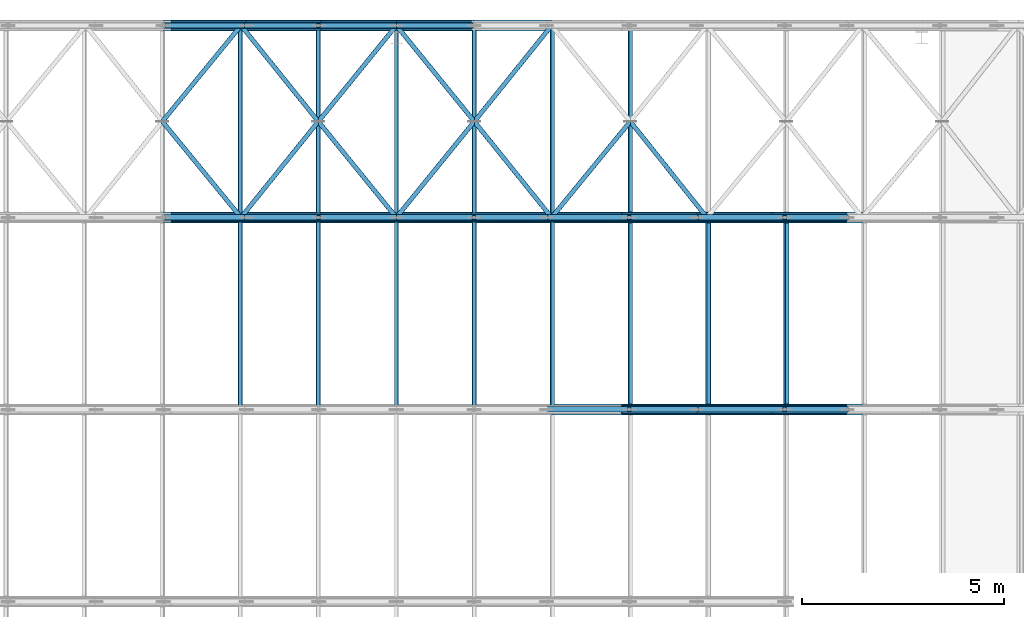
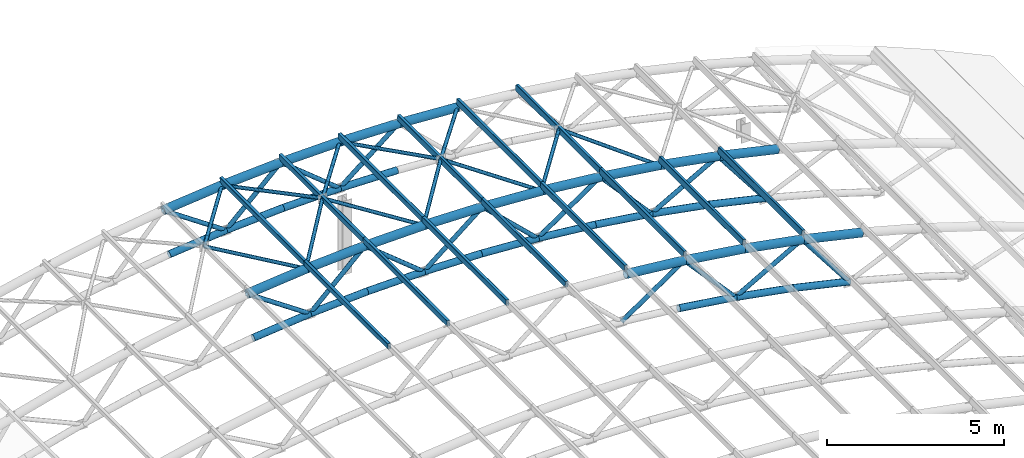
# One storey, part 6 of 22: 77 members.
"""IFC4 building model written with IfcOpenShell, lengths in metres."""

from ifc_helpers import new_model, si_unit, direction, frame, origin, origin_2d, place, context, subcontext, project, spatial, hollow_rectangle, hollow_circle, extrude, material, material_profile, profile_set, type_object, element, save


model = new_model("IFC4")

# Units and contexts
model_context = context("Model", 3, precision=1e-05, world=origin(), true_north=direction((0.0, 1.0)))
body_context = subcontext(model_context, "Body", "Model", "MODEL_VIEW")
ifc_project = project(units=[si_unit("LENGTHUNIT", "METRE"), si_unit("AREAUNIT", "SQUARE_METRE"), si_unit("VOLUMEUNIT", "CUBIC_METRE"), si_unit("PLANEANGLEUNIT", "RADIAN"), si_unit("MASSUNIT", "GRAM", prefix="KILO")], contexts=[model_context])

# Site, building, storey
site_placement = place(None, origin())
site = spatial("IfcSite", under=ifc_project, at=site_placement, CompositionType="ELEMENT")
building_placement = place(site_placement, origin())
building = spatial("IfcBuilding", under=site, at=building_placement, Name="Elbe Cascade School", CompositionType="ELEMENT")
storey_placement = place(building_placement, frame((0.0, 0.0, 18.89990234375)))
storey = spatial("IfcBuildingStorey", under=building, at=storey_placement, Name="R05", CompositionType="ELEMENT", Elevation=18.89990234375)

# Members
ifc_material_1 = material(Name="Steel S355J2H", Category="steel")
ifc_material_profile_1 = material_profile(ifc_material_1, hollow_circle(Radius=0.109619140625, WallThickness=0.012451171875, at=origin_2d()), Name="CHS 219.1x12.5")
ifc_profile_set_1 = profile_set([ifc_material_profile_1], Name="Steel S355J2H")
member_type_1 = type_object("IfcMemberType", Name="Hall rib bottom chord CHS 219.1x12.5", PredefinedType="CHORD", material=ifc_profile_set_1)
member_1_placement = place(storey_placement, frame((39.571533203125, 60.0, 2.355224609375), z_axis=(0.990068894629, 0.0, -0.140583014225), x_axis=(0.0, 1.0, 0.0)))
element("IfcMember", 1, at=member_1_placement, inside=storey, type_object=member_type_1, Name="Hall rib bottom chord CHS 219.1x12.5 M3", PredefinedType="CHORD", context=body_context, shape_type="SweptSolid", body=[
    extrude(hollow_circle(Radius=0.109619140625, WallThickness=0.012451171875, at=origin_2d()), origin(), (0.0, 0.0, 1.0), 1.87548828125),
])
member_2_placement = place(storey_placement, frame((41.428466796875, 60.0, 2.091552734375), z_axis=(0.9835518543, 0.0, -0.180625994539), x_axis=(0.0, 1.0, 0.0)))
element("IfcMember", 2, at=member_2_placement, inside=storey, type_object=member_type_1, Name="Hall rib bottom chord CHS 219.1x12.5 M3", PredefinedType="CHORD", context=body_context, shape_type="SweptSolid", body=[
    extrude(hollow_circle(Radius=0.109619140625, WallThickness=0.012451171875, at=origin_2d()), origin(), (0.0, 0.0, 1.0), 1.88818359375),
])
member_3_placement = place(storey_placement, frame((43.28564453125, 60.0, 1.75048828125), z_axis=(0.975295060536, 0.0, -0.220906190259), x_axis=(0.0, 1.0, 0.0)))
element("IfcMember", 3, at=member_3_placement, inside=storey, type_object=member_type_1, Name="Hall rib bottom chord CHS 219.1x12.5 M3", PredefinedType="CHORD", context=body_context, shape_type="SweptSolid", body=[
    extrude(hollow_circle(Radius=0.109619140625, WallThickness=0.012451171875, at=origin_2d()), origin(), (0.0, 0.0, 1.0), 1.904296875),
])
member_4_placement = place(storey_placement, frame((28.428466796875, 64.75, 2.355224609375), z_axis=(0.994942207611, 0.0, 0.100449009523), x_axis=(0.0, 1.0, 0.0)))
element("IfcMember", 4, at=member_4_placement, inside=storey, type_object=member_type_1, Name="Hall rib bottom chord CHS 219.1x12.5 M3", PredefinedType="CHORD", context=body_context, shape_type="SweptSolid", body=[
    extrude(hollow_circle(Radius=0.109619140625, WallThickness=0.012451171875, at=origin_2d()), origin(), (0.0, 0.0, 1.0), 1.86669921875),
])
member_5_placement = place(storey_placement, frame((30.28564453125, 64.75, 2.542724609375), z_axis=(0.998184548597, 0.0, 0.060229618484), x_axis=(0.0, 1.0, 0.0)))
element("IfcMember", 5, at=member_5_placement, inside=storey, type_object=member_type_1, Name="Hall rib bottom chord CHS 219.1x12.5 M3", PredefinedType="CHORD", context=body_context, shape_type="SweptSolid", body=[
    extrude(hollow_circle(Radius=0.109619140625, WallThickness=0.012451171875, at=origin_2d()), origin(), (0.0, 0.0, 1.0), 1.860595703125),
])
for number, where, z_axis, x_axis, name in (
    (6, (32.142822265625, 64.75, 2.65478515625), (0.999797793882, 0.0, 0.020108986784), (0.0, 1.0, 0.0), "Hall rib bottom chord CHS 219.1x12.5 M3"),
    (7, (34.0, 64.75, 2.692138671875), (0.999797793882, 0.0, -0.020108986784), (0.0, 1.0, 0.0), "Hall rib bottom chord CHS 219.1x12.5 M3"),
):
    element("IfcMember", number, at=place(storey_placement, frame(where, z_axis=z_axis, x_axis=x_axis)), inside=storey, type_object=member_type_1, Name=name, PredefinedType="CHORD", context=body_context, shape_type="SweptSolid", body=[
        extrude(hollow_circle(Radius=0.109619140625, WallThickness=0.012451171875, at=origin_2d()), origin(), (0.0, 0.0, 1.0), 1.857666015625),
    ])
member_6_placement = place(storey_placement, frame((35.857177734375, 64.75, 2.65478515625), z_axis=(0.998184548597, 0.0, -0.060229618484), x_axis=(0.0, 1.0, 0.0)))
element("IfcMember", 8, at=member_6_placement, inside=storey, type_object=member_type_1, Name="Hall rib bottom chord CHS 219.1x12.5 M3", PredefinedType="CHORD", context=body_context, shape_type="SweptSolid", body=[
    extrude(hollow_circle(Radius=0.109619140625, WallThickness=0.012451171875, at=origin_2d()), origin(), (0.0, 0.0, 1.0), 1.860595703125),
])
member_7_placement = place(storey_placement, frame((37.71435546875, 64.75, 2.542724609375), z_axis=(0.994942207611, 0.0, -0.100449009523), x_axis=(0.0, 1.0, 0.0)))
element("IfcMember", 9, at=member_7_placement, inside=storey, type_object=member_type_1, Name="Hall rib bottom chord CHS 219.1x12.5 M3", PredefinedType="CHORD", context=body_context, shape_type="SweptSolid", body=[
    extrude(hollow_circle(Radius=0.109619140625, WallThickness=0.012451171875, at=origin_2d()), origin(), (0.0, 0.0, 1.0), 1.86669921875),
])
member_8_placement = place(storey_placement, frame((39.571533203125, 64.75, 2.355224609375), z_axis=(0.990068894629, 0.0, -0.140583014225), x_axis=(0.0, 1.0, 0.0)))
element("IfcMember", 10, at=member_8_placement, inside=storey, type_object=member_type_1, Name="Hall rib bottom chord CHS 219.1x12.5 M3", PredefinedType="CHORD", context=body_context, shape_type="SweptSolid", body=[
    extrude(hollow_circle(Radius=0.109619140625, WallThickness=0.012451171875, at=origin_2d()), origin(), (0.0, 0.0, 1.0), 1.87548828125),
])
member_9_placement = place(storey_placement, frame((41.428466796875, 64.75, 2.091552734375), z_axis=(0.9835518543, 0.0, -0.180625994539), x_axis=(0.0, 1.0, 0.0)))
element("IfcMember", 11, at=member_9_placement, inside=storey, type_object=member_type_1, Name="Hall rib bottom chord CHS 219.1x12.5 M3", PredefinedType="CHORD", context=body_context, shape_type="SweptSolid", body=[
    extrude(hollow_circle(Radius=0.109619140625, WallThickness=0.012451171875, at=origin_2d()), origin(), (0.0, 0.0, 1.0), 1.88818359375),
])
member_10_placement = place(storey_placement, frame((43.28564453125, 64.75, 1.75048828125), z_axis=(0.975295060536, 0.0, -0.220906190259), x_axis=(0.0, 1.0, 0.0)))
element("IfcMember", 12, at=member_10_placement, inside=storey, type_object=member_type_1, Name="Hall rib bottom chord CHS 219.1x12.5 M3", PredefinedType="CHORD", context=body_context, shape_type="SweptSolid", body=[
    extrude(hollow_circle(Radius=0.109619140625, WallThickness=0.012451171875, at=origin_2d()), origin(), (0.0, 0.0, 1.0), 1.904296875),
])
member_11_placement = place(storey_placement, frame((28.428466796875, 69.5, 2.355224609375), z_axis=(0.994942207611, 0.0, 0.100449009523), x_axis=(0.0, 1.0, 0.0)))
element("IfcMember", 13, at=member_11_placement, inside=storey, type_object=member_type_1, Name="Hall rib bottom chord CHS 219.1x12.5 M3", PredefinedType="CHORD", context=body_context, shape_type="SweptSolid", body=[
    extrude(hollow_circle(Radius=0.109619140625, WallThickness=0.012451171875, at=origin_2d()), origin(), (0.0, 0.0, 1.0), 1.86669921875),
])
member_12_placement = place(storey_placement, frame((30.28564453125, 69.5, 2.542724609375), z_axis=(0.998184548597, 0.0, 0.060229618484), x_axis=(0.0, 1.0, 0.0)))
element("IfcMember", 14, at=member_12_placement, inside=storey, type_object=member_type_1, Name="Hall rib bottom chord CHS 219.1x12.5 M3", PredefinedType="CHORD", context=body_context, shape_type="SweptSolid", body=[
    extrude(hollow_circle(Radius=0.109619140625, WallThickness=0.012451171875, at=origin_2d()), origin(), (0.0, 0.0, 1.0), 1.860595703125),
])
for number, where, z_axis, x_axis, name in (
    (15, (32.142822265625, 69.5, 2.65478515625), (0.999797793882, 0.0, 0.020108986784), (0.0, 1.0, 0.0), "Hall rib bottom chord CHS 219.1x12.5 M3"),
    (16, (34.0, 69.5, 2.692138671875), (0.999797793882, 0.0, -0.020108986784), (0.0, 1.0, 0.0), "Hall rib bottom chord CHS 219.1x12.5 M3"),
):
    element("IfcMember", number, at=place(storey_placement, frame(where, z_axis=z_axis, x_axis=x_axis)), inside=storey, type_object=member_type_1, Name=name, PredefinedType="CHORD", context=body_context, shape_type="SweptSolid", body=[
        extrude(hollow_circle(Radius=0.109619140625, WallThickness=0.012451171875, at=origin_2d()), origin(), (0.0, 0.0, 1.0), 1.857666015625),
    ])
ifc_material_2 = material(Name="Steel S355J2H", Category="steel")
ifc_material_profile_2 = material_profile(ifc_material_2, hollow_circle(Radius=0.136474609375, WallThickness=0.012451171875, at=origin_2d()), Name="CHS 273x12.5")
ifc_profile_set_2 = profile_set([ifc_material_profile_2], Name="Steel S355J2H")
member_type_2 = type_object("IfcMemberType", Name="Hall rib top chord CHS 273x12.5", PredefinedType="CHORD", material=ifc_profile_set_2)
member_13_placement = place(storey_placement, frame((37.8427734375, 60.0, 4.1376953125), z_axis=(0.994936550575, 0.0, -0.100505026392), x_axis=(0.0, 1.0, 0.0)))
element("IfcMember", 17, at=member_13_placement, inside=storey, type_object=member_type_2, Name="Hall rib top chord CHS 273x12.5 M2", PredefinedType="CHORD", context=body_context, shape_type="SweptSolid", body=[
    extrude(hollow_circle(Radius=0.136474609375, WallThickness=0.012451171875, at=origin_2d()), origin(), (0.0, 0.0, 1.0), 1.93115234375),
])
member_14_placement = place(storey_placement, frame((39.76416015625, 60.0, 3.943603515625), z_axis=(0.990077406218, 0.0, -0.140523057528), x_axis=(0.0, 1.0, 0.0)))
element("IfcMember", 18, at=member_14_placement, inside=storey, type_object=member_type_2, Name="Hall rib top chord CHS 273x12.5 M2", PredefinedType="CHORD", context=body_context, shape_type="SweptSolid", body=[
    extrude(hollow_circle(Radius=0.136474609375, WallThickness=0.012451171875, at=origin_2d()), origin(), (0.0, 0.0, 1.0), 1.940673828125),
])
member_15_placement = place(storey_placement, frame((41.685546875, 60.0, 3.6708984375), z_axis=(0.983536288489, 0.0, -0.180710733565), x_axis=(0.0, 1.0, 0.0)))
element("IfcMember", 19, at=member_15_placement, inside=storey, type_object=member_type_2, Name="Hall rib top chord CHS 273x12.5 M2", PredefinedType="CHORD", context=body_context, shape_type="SweptSolid", body=[
    extrude(hollow_circle(Radius=0.136474609375, WallThickness=0.012451171875, at=origin_2d()), origin(), (0.0, 0.0, 1.0), 1.95361328125),
])
member_16_placement = place(storey_placement, frame((43.60693359375, 60.0, 3.31787109375), z_axis=(0.975283578549, 0.0, -0.220956876817), x_axis=(0.0, 1.0, 0.0)))
element("IfcMember", 20, at=member_16_placement, inside=storey, type_object=member_type_2, Name="Hall rib top chord CHS 273x12.5 M2", PredefinedType="CHORD", context=body_context, shape_type="SweptSolid", body=[
    extrude(hollow_circle(Radius=0.136474609375, WallThickness=0.012451171875, at=origin_2d()), origin(), (0.0, 0.0, 1.0), 1.969970703125),
])
member_17_placement = place(storey_placement, frame((28.23583984375, 64.75, 3.943603515625), z_axis=(0.994936550575, 0.0, 0.100505026392), x_axis=(0.0, 1.0, 0.0)))
element("IfcMember", 21, at=member_17_placement, inside=storey, type_object=member_type_2, Name="Hall rib top chord CHS 273x12.5 M2", PredefinedType="CHORD", context=body_context, shape_type="SweptSolid", body=[
    extrude(hollow_circle(Radius=0.136474609375, WallThickness=0.012451171875, at=origin_2d()), origin(), (0.0, 0.0, 1.0), 1.93115234375),
])
member_18_placement = place(storey_placement, frame((30.1572265625, 64.75, 4.1376953125), z_axis=(0.998183551067, 0.0, 0.060246148254), x_axis=(0.0, 1.0, 0.0)))
element("IfcMember", 22, at=member_18_placement, inside=storey, type_object=member_type_2, Name="Hall rib top chord CHS 273x12.5 M2", PredefinedType="CHORD", context=body_context, shape_type="SweptSolid", body=[
    extrude(hollow_circle(Radius=0.136474609375, WallThickness=0.012451171875, at=origin_2d()), origin(), (0.0, 0.0, 1.0), 1.9248046875),
])
for number, where, z_axis, x_axis, name in (
    (23, (32.07861328125, 64.75, 4.253662109375), (0.999798533216, 0.0, 0.020072194187), (0.0, 1.0, 0.0), "Hall rib top chord CHS 273x12.5 M2"),
    (24, (34.0, 64.75, 4.292236328125), (0.999798533216, 0.0, -0.020072194187), (0.0, 1.0, 0.0), "Hall rib top chord CHS 273x12.5 M2"),
):
    element("IfcMember", number, at=place(storey_placement, frame(where, z_axis=z_axis, x_axis=x_axis)), inside=storey, type_object=member_type_2, Name=name, PredefinedType="CHORD", context=body_context, shape_type="SweptSolid", body=[
        extrude(hollow_circle(Radius=0.136474609375, WallThickness=0.012451171875, at=origin_2d()), origin(), (0.0, 0.0, 1.0), 1.921875),
    ])
member_19_placement = place(storey_placement, frame((35.92138671875, 64.75, 4.253662109375), z_axis=(0.998183551067, 0.0, -0.060246148254), x_axis=(0.0, 1.0, 0.0)))
element("IfcMember", 25, at=member_19_placement, inside=storey, type_object=member_type_2, Name="Hall rib top chord CHS 273x12.5 M2", PredefinedType="CHORD", context=body_context, shape_type="SweptSolid", body=[
    extrude(hollow_circle(Radius=0.136474609375, WallThickness=0.012451171875, at=origin_2d()), origin(), (0.0, 0.0, 1.0), 1.9248046875),
])
member_20_placement = place(storey_placement, frame((37.8427734375, 64.75, 4.1376953125), z_axis=(0.994936550575, 0.0, -0.100505026392), x_axis=(0.0, 1.0, 0.0)))
element("IfcMember", 26, at=member_20_placement, inside=storey, type_object=member_type_2, Name="Hall rib top chord CHS 273x12.5 M2", PredefinedType="CHORD", context=body_context, shape_type="SweptSolid", body=[
    extrude(hollow_circle(Radius=0.136474609375, WallThickness=0.012451171875, at=origin_2d()), origin(), (0.0, 0.0, 1.0), 1.93115234375),
])
member_21_placement = place(storey_placement, frame((39.76416015625, 64.75, 3.943603515625), z_axis=(0.990077406218, 0.0, -0.140523057528), x_axis=(0.0, 1.0, 0.0)))
element("IfcMember", 27, at=member_21_placement, inside=storey, type_object=member_type_2, Name="Hall rib top chord CHS 273x12.5 M2", PredefinedType="CHORD", context=body_context, shape_type="SweptSolid", body=[
    extrude(hollow_circle(Radius=0.136474609375, WallThickness=0.012451171875, at=origin_2d()), origin(), (0.0, 0.0, 1.0), 1.940673828125),
])
member_22_placement = place(storey_placement, frame((41.685546875, 64.75, 3.6708984375), z_axis=(0.983536288489, 0.0, -0.180710733565), x_axis=(0.0, 1.0, 0.0)))
element("IfcMember", 28, at=member_22_placement, inside=storey, type_object=member_type_2, Name="Hall rib top chord CHS 273x12.5 M2", PredefinedType="CHORD", context=body_context, shape_type="SweptSolid", body=[
    extrude(hollow_circle(Radius=0.136474609375, WallThickness=0.012451171875, at=origin_2d()), origin(), (0.0, 0.0, 1.0), 1.95361328125),
])
member_23_placement = place(storey_placement, frame((43.60693359375, 64.75, 3.31787109375), z_axis=(0.975283578549, 0.0, -0.220956876817), x_axis=(0.0, 1.0, 0.0)))
element("IfcMember", 29, at=member_23_placement, inside=storey, type_object=member_type_2, Name="Hall rib top chord CHS 273x12.5 M2", PredefinedType="CHORD", context=body_context, shape_type="SweptSolid", body=[
    extrude(hollow_circle(Radius=0.136474609375, WallThickness=0.012451171875, at=origin_2d()), origin(), (0.0, 0.0, 1.0), 1.969970703125),
])
member_24_placement = place(storey_placement, frame((28.23583984375, 69.5, 3.943603515625), z_axis=(0.994936550575, 0.0, 0.100505026392), x_axis=(0.0, 1.0, 0.0)))
element("IfcMember", 30, at=member_24_placement, inside=storey, type_object=member_type_2, Name="Hall rib top chord CHS 273x12.5 M2", PredefinedType="CHORD", context=body_context, shape_type="SweptSolid", body=[
    extrude(hollow_circle(Radius=0.136474609375, WallThickness=0.012451171875, at=origin_2d()), origin(), (0.0, 0.0, 1.0), 1.93115234375),
])
member_25_placement = place(storey_placement, frame((30.1572265625, 69.5, 4.1376953125), z_axis=(0.998183551067, 0.0, 0.060246148254), x_axis=(0.0, 1.0, 0.0)))
element("IfcMember", 31, at=member_25_placement, inside=storey, type_object=member_type_2, Name="Hall rib top chord CHS 273x12.5 M2", PredefinedType="CHORD", context=body_context, shape_type="SweptSolid", body=[
    extrude(hollow_circle(Radius=0.136474609375, WallThickness=0.012451171875, at=origin_2d()), origin(), (0.0, 0.0, 1.0), 1.9248046875),
])
for number, where, z_axis, x_axis, name in (
    (32, (32.07861328125, 69.5, 4.253662109375), (0.999798533216, 0.0, 0.020072194187), (0.0, 1.0, 0.0), "Hall rib top chord CHS 273x12.5 M2"),
    (33, (34.0, 69.5, 4.292236328125), (0.999798533216, 0.0, -0.020072194187), (0.0, 1.0, 0.0), "Hall rib top chord CHS 273x12.5 M2"),
):
    element("IfcMember", number, at=place(storey_placement, frame(where, z_axis=z_axis, x_axis=x_axis)), inside=storey, type_object=member_type_2, Name=name, PredefinedType="CHORD", context=body_context, shape_type="SweptSolid", body=[
        extrude(hollow_circle(Radius=0.136474609375, WallThickness=0.012451171875, at=origin_2d()), origin(), (0.0, 0.0, 1.0), 1.921875),
    ])
member_26_placement = place(storey_placement, frame((35.92138671875, 69.5, 4.253662109375), z_axis=(0.998183551067, 0.0, -0.060246148254), x_axis=(0.0, 1.0, 0.0)))
element("IfcMember", 34, at=member_26_placement, inside=storey, type_object=member_type_2, Name="Hall rib top chord CHS 273x12.5 M2", PredefinedType="CHORD", context=body_context, shape_type="SweptSolid", body=[
    extrude(hollow_circle(Radius=0.136474609375, WallThickness=0.012451171875, at=origin_2d()), origin(), (0.0, 0.0, 1.0), 1.9248046875),
])
ifc_material_3 = material(Name="Steel S355J2H", Category="steel")
ifc_material_profile_3 = material_profile(ifc_material_3, hollow_circle(Radius=0.06982421875, WallThickness=0.008056640625, at=origin_2d()), Name="CHS 139.7x8")
ifc_profile_set_3 = profile_set([ifc_material_profile_3], Name="Steel S355J2H")
member_type_3 = type_object("IfcMemberType", Name="Hall rib web CHS 139.7x8", PredefinedType="BRACE", material=ifc_profile_set_3)
member_27_placement = place(storey_placement, frame((37.71435546875, 60.0, 2.542724609375), z_axis=(0.825611048999, 0.0, 0.564239661643), x_axis=(0.0, 1.0, 0.0)))
element("IfcMember", 35, at=member_27_placement, inside=storey, type_object=member_type_3, Name="Hall rib web CHS 139.7x8 M4", PredefinedType="BRACE", context=body_context, shape_type="SweptSolid", body=[
    extrude(hollow_circle(Radius=0.06982421875, WallThickness=0.008056640625, at=origin_2d()), origin(), (0.0, 0.0, 1.0), 2.482666015625),
])
member_28_placement = place(storey_placement, frame((39.76416015625, 60.0, 3.943603515625), z_axis=(0.668401163046, 0.0, -0.743800971523), x_axis=(0.0, 1.0, 0.0)))
element("IfcMember", 36, at=member_28_placement, inside=storey, type_object=member_type_3, Name="Hall rib web CHS 139.7x8 M4", PredefinedType="BRACE", context=body_context, shape_type="SweptSolid", body=[
    extrude(hollow_circle(Radius=0.06982421875, WallThickness=0.008056640625, at=origin_2d()), origin(), (0.0, 0.0, 1.0), 2.489990234375),
])
member_29_placement = place(storey_placement, frame((41.428466796875, 60.0, 2.091552734375), z_axis=(0.871416395959, 0.0, 0.49054404986), x_axis=(0.0, 1.0, 0.0)))
element("IfcMember", 37, at=member_29_placement, inside=storey, type_object=member_type_3, Name="Hall rib web CHS 139.7x8 M4", PredefinedType="BRACE", context=body_context, shape_type="SweptSolid", body=[
    extrude(hollow_circle(Radius=0.06982421875, WallThickness=0.008056640625, at=origin_2d()), origin(), (0.0, 0.0, 1.0), 2.5),
])
member_30_placement = place(storey_placement, frame((43.60693359375, 60.0, 3.31787109375), z_axis=(0.611367288824, 0.0, -0.791346977094), x_axis=(0.0, 1.0, 0.0)))
element("IfcMember", 38, at=member_30_placement, inside=storey, type_object=member_type_3, Name="Hall rib web CHS 139.7x8 M4", PredefinedType="BRACE", context=body_context, shape_type="SweptSolid", body=[
    extrude(hollow_circle(Radius=0.06982421875, WallThickness=0.008056640625, at=origin_2d()), origin(), (0.0, 0.0, 1.0), 2.51220703125),
])
member_31_placement = place(storey_placement, frame((28.23583984375, 64.75, 3.943603515625), z_axis=(0.825611048999, 0.0, -0.564239661643), x_axis=(0.0, 1.0, 0.0)))
element("IfcMember", 39, at=member_31_placement, inside=storey, type_object=member_type_3, Name="Hall rib web CHS 139.7x8 M4", PredefinedType="BRACE", context=body_context, shape_type="SweptSolid", body=[
    extrude(hollow_circle(Radius=0.06982421875, WallThickness=0.008056640625, at=origin_2d()), origin(), (0.0, 0.0, 1.0), 2.482666015625),
])
member_32_placement = place(storey_placement, frame((30.28564453125, 64.75, 2.542724609375), z_axis=(0.723462885485, 0.0, 0.690363276345), x_axis=(0.0, 1.0, 0.0)))
element("IfcMember", 40, at=member_32_placement, inside=storey, type_object=member_type_3, Name="Hall rib web CHS 139.7x8 M4", PredefinedType="BRACE", context=body_context, shape_type="SweptSolid", body=[
    extrude(hollow_circle(Radius=0.06982421875, WallThickness=0.008056640625, at=origin_2d()), origin(), (0.0, 0.0, 1.0), 2.478271484375),
])
for number, where, z_axis, x_axis, name in (
    (41, (32.07861328125, 64.75, 4.253662109375), (0.776035572701, 0.0, -0.630689138881), (0.0, 1.0, 0.0), "Hall rib web CHS 139.7x8 M4"),
    (42, (34.0, 64.75, 2.692138671875), (0.776035572701, 0.0, 0.630689138881), (0.0, 1.0, 0.0), "Hall rib web CHS 139.7x8 M4"),
):
    element("IfcMember", number, at=place(storey_placement, frame(where, z_axis=z_axis, x_axis=x_axis)), inside=storey, type_object=member_type_3, Name=name, PredefinedType="BRACE", context=body_context, shape_type="SweptSolid", body=[
        extrude(hollow_circle(Radius=0.06982421875, WallThickness=0.008056640625, at=origin_2d()), origin(), (0.0, 0.0, 1.0), 2.475830078125),
    ])
member_33_placement = place(storey_placement, frame((35.92138671875, 64.75, 4.253662109375), z_axis=(0.723462885485, 0.0, -0.690363276345), x_axis=(0.0, 1.0, 0.0)))
element("IfcMember", 43, at=member_33_placement, inside=storey, type_object=member_type_3, Name="Hall rib web CHS 139.7x8 M4", PredefinedType="BRACE", context=body_context, shape_type="SweptSolid", body=[
    extrude(hollow_circle(Radius=0.06982421875, WallThickness=0.008056640625, at=origin_2d()), origin(), (0.0, 0.0, 1.0), 2.478271484375),
])
member_34_placement = place(storey_placement, frame((37.71435546875, 64.75, 2.542724609375), z_axis=(0.825611048999, 0.0, 0.564239661643), x_axis=(0.0, 1.0, 0.0)))
element("IfcMember", 44, at=member_34_placement, inside=storey, type_object=member_type_3, Name="Hall rib web CHS 139.7x8 M4", PredefinedType="BRACE", context=body_context, shape_type="SweptSolid", body=[
    extrude(hollow_circle(Radius=0.06982421875, WallThickness=0.008056640625, at=origin_2d()), origin(), (0.0, 0.0, 1.0), 2.482666015625),
])
member_35_placement = place(storey_placement, frame((39.76416015625, 64.75, 3.943603515625), z_axis=(0.668401163046, 0.0, -0.743800971523), x_axis=(0.0, 1.0, 0.0)))
element("IfcMember", 45, at=member_35_placement, inside=storey, type_object=member_type_3, Name="Hall rib web CHS 139.7x8 M4", PredefinedType="BRACE", context=body_context, shape_type="SweptSolid", body=[
    extrude(hollow_circle(Radius=0.06982421875, WallThickness=0.008056640625, at=origin_2d()), origin(), (0.0, 0.0, 1.0), 2.489990234375),
])
member_36_placement = place(storey_placement, frame((41.428466796875, 64.75, 2.091552734375), z_axis=(0.871416395959, 0.0, 0.49054404986), x_axis=(0.0, 1.0, 0.0)))
element("IfcMember", 46, at=member_36_placement, inside=storey, type_object=member_type_3, Name="Hall rib web CHS 139.7x8 M4", PredefinedType="BRACE", context=body_context, shape_type="SweptSolid", body=[
    extrude(hollow_circle(Radius=0.06982421875, WallThickness=0.008056640625, at=origin_2d()), origin(), (0.0, 0.0, 1.0), 2.5),
])
member_37_placement = place(storey_placement, frame((43.60693359375, 64.75, 3.31787109375), z_axis=(0.611367288824, 0.0, -0.791346977094), x_axis=(0.0, 1.0, 0.0)))
element("IfcMember", 47, at=member_37_placement, inside=storey, type_object=member_type_3, Name="Hall rib web CHS 139.7x8 M4", PredefinedType="BRACE", context=body_context, shape_type="SweptSolid", body=[
    extrude(hollow_circle(Radius=0.06982421875, WallThickness=0.008056640625, at=origin_2d()), origin(), (0.0, 0.0, 1.0), 2.51220703125),
])
member_38_placement = place(storey_placement, frame((28.23583984375, 69.5, 3.943603515625), z_axis=(0.825611048999, 0.0, -0.564239661643), x_axis=(0.0, 1.0, 0.0)))
element("IfcMember", 48, at=member_38_placement, inside=storey, type_object=member_type_3, Name="Hall rib web CHS 139.7x8 M4", PredefinedType="BRACE", context=body_context, shape_type="SweptSolid", body=[
    extrude(hollow_circle(Radius=0.06982421875, WallThickness=0.008056640625, at=origin_2d()), origin(), (0.0, 0.0, 1.0), 2.482666015625),
])
member_39_placement = place(storey_placement, frame((30.28564453125, 69.5, 2.542724609375), z_axis=(0.723462885485, 0.0, 0.690363276345), x_axis=(0.0, 1.0, 0.0)))
element("IfcMember", 49, at=member_39_placement, inside=storey, type_object=member_type_3, Name="Hall rib web CHS 139.7x8 M4", PredefinedType="BRACE", context=body_context, shape_type="SweptSolid", body=[
    extrude(hollow_circle(Radius=0.06982421875, WallThickness=0.008056640625, at=origin_2d()), origin(), (0.0, 0.0, 1.0), 2.478271484375),
])
for number, where, z_axis, x_axis, name in (
    (50, (32.07861328125, 69.5, 4.253662109375), (0.776035572701, 0.0, -0.630689138881), (0.0, 1.0, 0.0), "Hall rib web CHS 139.7x8 M4"),
    (51, (34.0, 69.5, 2.692138671875), (0.776035572701, 0.0, 0.630689138881), (0.0, 1.0, 0.0), "Hall rib web CHS 139.7x8 M4"),
):
    element("IfcMember", number, at=place(storey_placement, frame(where, z_axis=z_axis, x_axis=x_axis)), inside=storey, type_object=member_type_3, Name=name, PredefinedType="BRACE", context=body_context, shape_type="SweptSolid", body=[
        extrude(hollow_circle(Radius=0.06982421875, WallThickness=0.008056640625, at=origin_2d()), origin(), (0.0, 0.0, 1.0), 2.475830078125),
    ])
ifc_material_4 = material(Name="Steel S355J2H", Category="steel")
ifc_material_profile_4 = material_profile(ifc_material_4, hollow_circle(Radius=0.05712890625, WallThickness=0.00634765625, at=origin_2d()), Name="CHS 114.3x6.3")
ifc_profile_set_4 = profile_set([ifc_material_profile_4], Name="Steel S355J2H")
member_type_4 = type_object("IfcMemberType", Name="Hall roof bracing CHS 114.3x6.3", PredefinedType="BRACE", material=ifc_profile_set_4)
for number, where, z_axis, x_axis, name in (
    (52, (28.2109375, 67.125, 4.148681640625), (0.633839694881, 0.773456165554, -0.003577870832), (-0.77346111617, 0.633843751861, 0.0), "Hall roof bracing CHS 114.3x6.3 M9"),
    (53, (28.2109375, 67.125, 4.148681640625), (0.633839694881, -0.773456165554, -0.003577870832), (0.77346111617, 0.633843751861, 0.0), "Hall roof bracing CHS 114.3x6.3 M9"),
):
    element("IfcMember", number, at=place(storey_placement, frame(where, z_axis=z_axis, x_axis=x_axis)), inside=storey, type_object=member_type_4, Name=name, PredefinedType="BRACE", context=body_context, shape_type="SweptSolid", body=[
        extrude(hollow_circle(Radius=0.05712890625, WallThickness=0.00634765625, at=origin_2d()), origin(), (0.0, 0.0, 1.0), 3.070556640625),
    ])
member_40_placement = place(storey_placement, frame((32.0703125, 67.125, 4.4599609375), z_axis=(-0.62383457677, -0.774459260186, -0.10508698843), x_axis=(0.778771290788, -0.627307959972, 0.0)))
element("IfcMember", 54, at=member_40_placement, inside=storey, type_object=member_type_4, Name="Hall roof bracing CHS 114.3x6.3 M9", PredefinedType="BRACE", context=body_context, shape_type="SweptSolid", body=[
    extrude(hollow_circle(Radius=0.05712890625, WallThickness=0.00634765625, at=origin_2d()), origin(), (0.0, 0.0, 1.0), 3.066650390625),
])
member_41_placement = place(storey_placement, frame((32.0703125, 67.125, 4.4599609375), z_axis=(0.629647565671, 0.774950850056, -0.05472771731), x_axis=(-0.776114000116, 0.630592625094, 0.0)))
element("IfcMember", 55, at=member_41_placement, inside=storey, type_object=member_type_4, Name="Hall roof bracing CHS 114.3x6.3 M9", PredefinedType="BRACE", context=body_context, shape_type="SweptSolid", body=[
    extrude(hollow_circle(Radius=0.05712890625, WallThickness=0.00634765625, at=origin_2d()), origin(), (0.0, 0.0, 1.0), 3.064697265625),
])
member_42_placement = place(storey_placement, frame((32.0703125, 67.125, 4.4599609375), z_axis=(-0.62383457677, 0.774459260186, -0.10508698843), x_axis=(-0.778771290788, -0.627307959972, 0.0)))
element("IfcMember", 56, at=member_42_placement, inside=storey, type_object=member_type_4, Name="Hall roof bracing CHS 114.3x6.3 M9", PredefinedType="BRACE", context=body_context, shape_type="SweptSolid", body=[
    extrude(hollow_circle(Radius=0.05712890625, WallThickness=0.00634765625, at=origin_2d()), origin(), (0.0, 0.0, 1.0), 3.066650390625),
])
for number, where, z_axis, x_axis, name in (
    (57, (32.0703125, 67.125, 4.4599609375), (0.629647565671, -0.774950850056, -0.05472771731), (0.776114000116, 0.630592625094, 0.0), "Hall roof bracing CHS 114.3x6.3 M9"),
    (58, (35.9296875, 67.125, 4.4599609375), (-0.629647565671, -0.774950850056, -0.05472771731), (0.776114000116, -0.630592625094, 0.0), "Hall roof bracing CHS 114.3x6.3 M9"),
):
    element("IfcMember", number, at=place(storey_placement, frame(where, z_axis=z_axis, x_axis=x_axis)), inside=storey, type_object=member_type_4, Name=name, PredefinedType="BRACE", context=body_context, shape_type="SweptSolid", body=[
        extrude(hollow_circle(Radius=0.05712890625, WallThickness=0.00634765625, at=origin_2d()), origin(), (0.0, 0.0, 1.0), 3.064697265625),
    ])
member_43_placement = place(storey_placement, frame((35.9296875, 67.125, 4.4599609375), z_axis=(0.62383457677, 0.774459260186, -0.10508698843), x_axis=(-0.778771290788, 0.627307959972, 0.0)))
element("IfcMember", 59, at=member_43_placement, inside=storey, type_object=member_type_4, Name="Hall roof bracing CHS 114.3x6.3 M9", PredefinedType="BRACE", context=body_context, shape_type="SweptSolid", body=[
    extrude(hollow_circle(Radius=0.05712890625, WallThickness=0.00634765625, at=origin_2d()), origin(), (0.0, 0.0, 1.0), 3.066650390625),
])
member_44_placement = place(storey_placement, frame((35.9296875, 67.125, 4.4599609375), z_axis=(-0.629647565671, 0.774950850056, -0.05472771731), x_axis=(-0.776114000116, -0.630592625094, 0.0)))
element("IfcMember", 60, at=member_44_placement, inside=storey, type_object=member_type_4, Name="Hall roof bracing CHS 114.3x6.3 M9", PredefinedType="BRACE", context=body_context, shape_type="SweptSolid", body=[
    extrude(hollow_circle(Radius=0.05712890625, WallThickness=0.00634765625, at=origin_2d()), origin(), (0.0, 0.0, 1.0), 3.064697265625),
])
member_45_placement = place(storey_placement, frame((35.9296875, 67.125, 4.4599609375), z_axis=(0.62383457677, -0.774459260186, -0.10508698843), x_axis=(0.778771290788, 0.627307959972, 0.0)))
element("IfcMember", 61, at=member_45_placement, inside=storey, type_object=member_type_4, Name="Hall roof bracing CHS 114.3x6.3 M9", PredefinedType="BRACE", context=body_context, shape_type="SweptSolid", body=[
    extrude(hollow_circle(Radius=0.05712890625, WallThickness=0.00634765625, at=origin_2d()), origin(), (0.0, 0.0, 1.0), 3.066650390625),
])
member_46_placement = place(storey_placement, frame((39.7890625, 67.125, 4.148681640625), z_axis=(-0.633839694881, -0.773456165554, -0.003577870832), x_axis=(0.77346111617, -0.633843751861, 0.0)))
element("IfcMember", 62, at=member_46_placement, inside=storey, type_object=member_type_4, Name="Hall roof bracing CHS 114.3x6.3 M9", PredefinedType="BRACE", context=body_context, shape_type="SweptSolid", body=[
    extrude(hollow_circle(Radius=0.05712890625, WallThickness=0.00634765625, at=origin_2d()), origin(), (0.0, 0.0, 1.0), 3.070556640625),
])
member_47_placement = place(storey_placement, frame((39.7890625, 67.125, 4.148681640625), z_axis=(0.616419306396, -0.77195249905, -0.155295131645), x_axis=(0.781432747539, 0.623989471925, 0.0)))
element("IfcMember", 63, at=member_47_placement, inside=storey, type_object=member_type_4, Name="Hall roof bracing CHS 114.3x6.3 M9", PredefinedType="BRACE", context=body_context, shape_type="SweptSolid", body=[
    extrude(hollow_circle(Radius=0.05712890625, WallThickness=0.00634765625, at=origin_2d()), origin(), (0.0, 0.0, 1.0), 3.07666015625),
])
ifc_material_5 = material(Name="Steel S355J2H", Category="steel")
ifc_material_profile_5 = material_profile(ifc_material_5, hollow_rectangle(XDim=0.10009765625, YDim=0.199951171875, WallThickness=0.008056640625, InnerFilletRadius=0.008056640625, OuterFilletRadius=0.011962890625, at=origin_2d()), Name="RHS 200x100x8")
ifc_profile_set_5 = profile_set([ifc_material_profile_5], Name="Steel S355J2H")
member_type_5 = type_object("IfcMemberType", Name="Hall roof purlin RHS 200x100x8", PredefinedType="PURLIN", material=ifc_profile_set_5)
for number, where, z_axis, x_axis, name in (
    (64, (30.140625, 60.0, 4.343505859375), (0.0, 1.0, 0.0), (-0.996770025505, 0.0, -0.080308880303), "Hall roof purlin RHS 200x100x8 M8"),
    (65, (30.140625, 64.75, 4.343505859375), (0.0, 1.0, 0.0), (-0.996770025505, 0.0, -0.080308880303), "Hall roof purlin RHS 200x100x8 M8"),
    (66, (32.0703125, 60.0, 4.4599609375), (0.0, 1.0, 0.0), (-0.999193485235, 0.0, -0.040154440155), "Hall roof purlin RHS 200x100x8 M8"),
    (67, (32.0703125, 64.75, 4.4599609375), (0.0, 1.0, 0.0), (-0.999193485235, 0.0, -0.040154440155), "Hall roof purlin RHS 200x100x8 M8"),
    (68, (34.0, 60.0, 4.49853515625), (0.0, 1.0, 0.0), (-1.0, 0.0, 0.0), "Hall roof purlin RHS 200x100x8 M8"),
    (69, (34.0, 64.75, 4.49853515625), (0.0, 1.0, 0.0), (-1.0, 0.0, 0.0), "Hall roof purlin RHS 200x100x8 M8"),
    (70, (35.9296875, 60.0, 4.4599609375), (0.0, 1.0, 0.0), (-0.999193485235, 0.0, 0.040154440155), "Hall roof purlin RHS 200x100x8 M8"),
    (71, (35.9296875, 64.75, 4.4599609375), (0.0, 1.0, 0.0), (-0.999193485235, 0.0, 0.040154440155), "Hall roof purlin RHS 200x100x8 M8"),
    (72, (37.859375, 60.0, 4.343505859375), (0.0, 1.0, 0.0), (-0.996770025505, 0.0, 0.080308880303), "Hall roof purlin RHS 200x100x8 M8"),
    (73, (37.859375, 64.75, 4.343505859375), (0.0, 1.0, 0.0), (-0.996770025505, 0.0, 0.080308880303), "Hall roof purlin RHS 200x100x8 M8"),
    (74, (39.7890625, 60.0, 4.148681640625), (0.0, 1.0, 0.0), (-0.99271777884, 0.0, 0.120463320456), "Hall roof purlin RHS 200x100x8 M8"),
    (75, (39.7890625, 64.75, 4.148681640625), (0.0, 1.0, 0.0), (-0.99271777884, 0.0, 0.120463320456), "Hall roof purlin RHS 200x100x8 M8"),
    (76, (41.71875, 60.0, 3.874755859375), (0.0, 1.0, 0.0), (-0.987016684243, 0.0, 0.160617760615), "Hall roof purlin RHS 200x100x8 M8"),
    (77, (43.6484375, 60.0, 3.52001953125), (0.0, 1.0, 0.0), (-0.979637955265, 0.0, 0.200772200777), "Hall roof purlin RHS 200x100x8 M8"),
):
    element("IfcMember", number, at=place(storey_placement, frame(where, z_axis=z_axis, x_axis=x_axis)), inside=storey, type_object=member_type_5, Name=name, PredefinedType="PURLIN", context=body_context, shape_type="SweptSolid", body=[
        extrude(hollow_rectangle(XDim=0.10009765625, YDim=0.199951171875, WallThickness=0.008056640625, InnerFilletRadius=0.008056640625, OuterFilletRadius=0.011962890625, at=origin_2d()), origin(), (0.0, 0.0, 1.0), 4.75),
    ])

save(model, "model.ifc")
